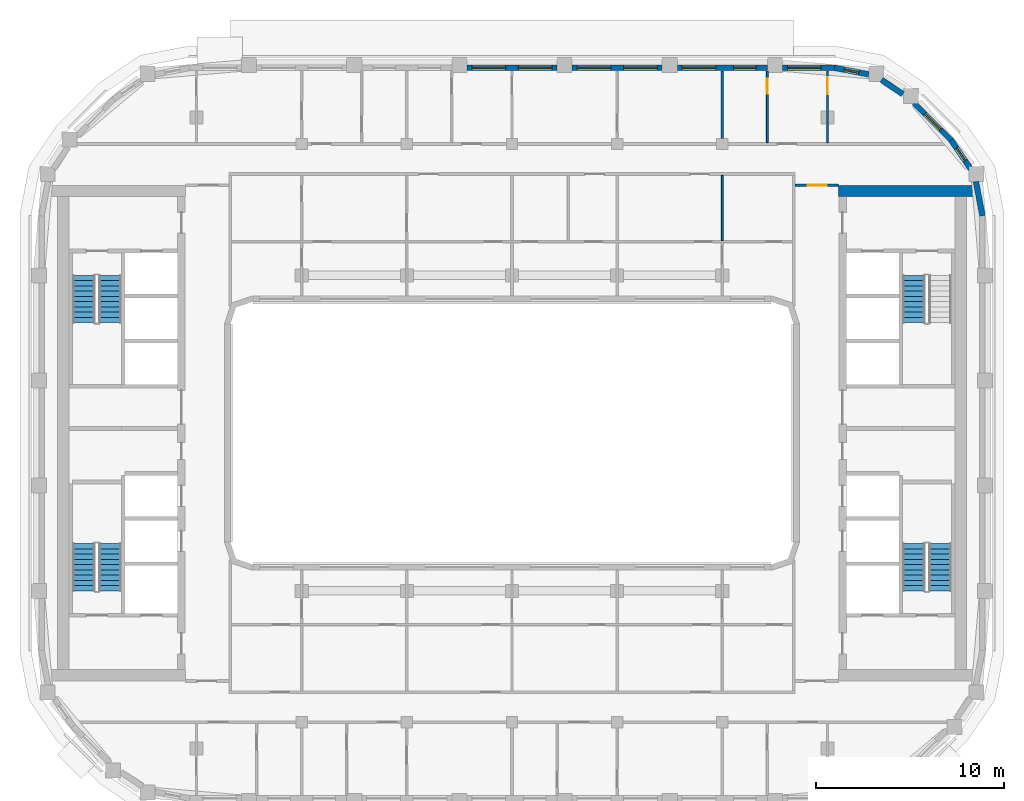
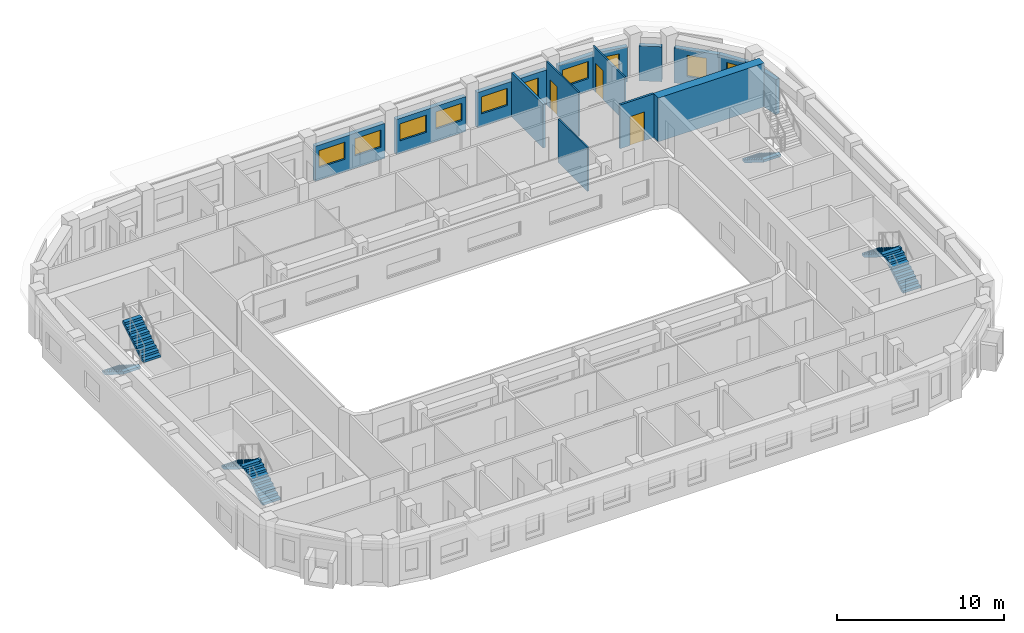
# One storey, part 8 of 16: 15 walls, 10 windows, 7 stair flights, 3 doors, 13 openings, 4 elements without a shape of their own.
"""IFC4 building model written with IfcOpenShell, lengths in metres."""

from ifc_helpers import new_model, si_unit, direction, frame, frame_2d, origin, place, context, subcontext, project, spatial, polyline, rectangle, outline, extrude, material, layer, layer_set, type_object, element, fill, aggregate, save


model = new_model("IFC4")

# Units and contexts
model_context = context("Model", 3, precision=1e-05, world=origin(), true_north=direction((0.0, 1.0)))
body_context = subcontext(model_context, "Body", "Model", "MODEL_VIEW")
ifc_project = project(units=[si_unit("LENGTHUNIT", "METRE"), si_unit("AREAUNIT", "SQUARE_METRE"), si_unit("VOLUMEUNIT", "CUBIC_METRE"), si_unit("PLANEANGLEUNIT", "RADIAN"), si_unit("MASSUNIT", "GRAM", prefix="KILO")], contexts=[model_context])

# Site, building, storey
site_placement = place(None, origin())
site = spatial("IfcSite", under=ifc_project, at=site_placement, CompositionType="ELEMENT")
building_placement = place(site_placement, origin())
building = spatial("IfcBuilding", under=site, at=building_placement, Name="Kiln Ring Residences", CompositionType="ELEMENT")
storey_placement = place(building_placement, frame((0.0, 0.0, 245.199951171875)))
storey = spatial("IfcBuildingStorey", under=building, at=storey_placement, Name="L63", CompositionType="ELEMENT", Elevation=245.199951171875)

# Walls
ifc_material_1 = material(Name="Concrete C60/75", Category="concrete")
ifc_layer_1 = layer(ifc_material_1, 0.60009765625)
ifc_layer_set_1 = layer_set([ifc_layer_1], Name="CORE-WALL-RC600")
wall_type_1 = type_object("IfcWallType", Name="CORE-WALL-RC600", PredefinedType="SHEAR", material=ifc_layer_set_1)
wall_1_placement = place(storey_placement, frame((17.39990234375, 12.89990234375, 0.0), z_axis=(0.0, 0.0, 1.0), x_axis=(1.0, 0.0, 0.0)))
element("IfcWall", 1, at=wall_1_placement, inside=storey, type_object=wall_type_1, Name="Core wall east L63 4", PredefinedType="SHEAR", context=body_context, shape_type="SweptSolid", body=[
    extrude(rectangle(XDim=7.320068359375, YDim=0.60009765625, at=frame_2d((3.66015625, 0.0))), origin(), (0.0, 0.0, 1.0), 3.199951171875),
])
ifc_material_2 = material(Name="Brick masonry, dark clay brick", Category="masonry")
ifc_layer_2 = layer(ifc_material_2, 0.300048828125)
ifc_layer_set_2 = layer_set([ifc_layer_2], Name="EW-300 BRICK WALL")
wall_type_2 = type_object("IfcWallType", Name="EW-300 BRICK WALL", PredefinedType="SOLIDWALL", material=ifc_layer_set_2)
wall_2_placement = place(storey_placement, frame((25.052734375, 11.57177734375, 0.0), z_axis=(0.0, 0.0, 1.0), x_axis=(-0.187408222942, 0.982282117303, 0.0)))
element("IfcWall", 2, at=wall_2_placement, inside=storey, type_object=wall_type_2, Name="Facade wall L63 21", PredefinedType="SOLIDWALL", context=body_context, shape_type="SweptSolid", body=[
    extrude(rectangle(XDim=1.8564453125, YDim=0.300048828125, at=frame_2d((0.92822265625, 0.0))), origin(), (0.0, 0.0, 1.0), 2.550048828125),
])

# Wall, opening, window
wall_3_placement = place(storey_placement, frame((24.422119140625, 14.07763671875, 0.0), z_axis=(0.0, 0.0, 1.0), x_axis=(-0.562054549384, 0.827100165347, 0.0)))
wall_3 = element("IfcWall", 3, at=wall_3_placement, inside=storey, type_object=wall_type_2, Name="Facade wall L63 22", PredefinedType="SOLIDWALL", context=body_context, shape_type="SweptSolid", body=[
    extrude(rectangle(XDim=1.85595703125, YDim=0.300048828125, at=frame_2d((0.927978515625, 0.0))), origin(), (0.0, 0.0, 1.0), 2.550048828125),
])
opening_1_placement = place(wall_3_placement, frame((0.528076171875, 0.0, 0.60009765625)))
opening_1 = element("IfcOpeningElement", 4, at=opening_1_placement, cuts=wall_3, Name="Opening W5", PredefinedType="OPENING", context=body_context, shape_type="SweptSolid", body=[
    extrude(rectangle(XDim=0.800048828125, YDim=1.550048828125, at=frame_2d((0.39990234375, 0.77490234375))), frame((0.0, 0.159912109375, 0.0), z_axis=(0.0, -1.0, 0.0), x_axis=(1.0, 0.0, 0.0)), (0.0, 0.0, 1.0), 0.320068359375),
])
ifc_material_3 = material(Name="Aluminium frame with double glazing", Category="aluminium")
window_type_1 = type_object("IfcWindowType", Name="WINDOW 800 x 1550", PartitioningType="SINGLE_PANEL", PredefinedType="WINDOW", material=ifc_material_3)
window_1_placement = place(opening_1_placement, origin())
window_1 = element("IfcWindow", 5, at=window_1_placement, inside=storey, type_object=window_type_1, Name="Window L63 18", OverallHeight=1.550048828125, OverallWidth=0.800048828125, PartitioningType="SINGLE_PANEL", PredefinedType="WINDOW", context=body_context, shape_type="SweptSolid", body=[
    extrude(rectangle(XDim=0.800048828125, YDim=1.550048828125, at=frame_2d((0.39990234375, 0.77490234375))), frame((0.0, 0.030029296875, 0.0), z_axis=(0.0, -1.0, 0.0), x_axis=(1.0, 0.0, 0.0)), (0.0, 0.0, 1.0), 0.06005859375),
])
fill(opening_1, window_1)

wall_4_placement = place(storey_placement, frame((23.39697265625, 15.591064453125, 0.0), z_axis=(0.0, 0.0, 1.0), x_axis=(-0.707150377276, 0.707063182409, 0.0)))
wall_4 = element("IfcWall", 6, at=wall_4_placement, inside=storey, type_object=wall_type_2, Name="Facade wall L63 23", PredefinedType="SOLIDWALL", context=body_context, shape_type="SweptSolid", body=[
    extrude(rectangle(XDim=2.800048828125, YDim=0.300048828125, at=frame_2d((1.39990234375, 0.0))), origin(), (0.0, 0.0, 1.0), 2.550048828125),
])
opening_2_placement = place(wall_4_placement, frame((0.800048828125, 0.0, 0.60009765625)))
opening_2 = element("IfcOpeningElement", 7, at=opening_2_placement, cuts=wall_4, Name="Opening W1", PredefinedType="OPENING", context=body_context, shape_type="SweptSolid", body=[
    extrude(rectangle(XDim=1.199951171875, YDim=1.550048828125, at=frame_2d((0.60009765625, 0.77490234375))), frame((0.0, 0.159912109375, 0.0), z_axis=(0.0, -1.0, 0.0), x_axis=(1.0, 0.0, 0.0)), (0.0, 0.0, 1.0), 0.320068359375),
])
ifc_material_4 = material(Name="Aluminium frame with double glazing", Category="aluminium")
window_type_2 = type_object("IfcWindowType", Name="WINDOW 1200 x 1550", PartitioningType="SINGLE_PANEL", PredefinedType="WINDOW", material=ifc_material_4)
window_2_placement = place(opening_2_placement, origin())
window_2 = element("IfcWindow", 8, at=window_2_placement, inside=storey, type_object=window_type_2, Name="Window L63 19", OverallHeight=1.550048828125, OverallWidth=1.199951171875, PartitioningType="SINGLE_PANEL", PredefinedType="WINDOW", context=body_context, shape_type="SweptSolid", body=[
    extrude(rectangle(XDim=1.199951171875, YDim=1.550048828125, at=frame_2d((0.60009765625, 0.77490234375))), frame((0.0, 0.030029296875, 0.0), z_axis=(0.0, -1.0, 0.0), x_axis=(1.0, 0.0, 0.0)), (0.0, 0.0, 1.0), 0.06005859375),
])
fill(opening_2, window_2)

# Wall
wall_5_placement = place(storey_placement, frame((20.816650390625, 18.048095703125, 0.0), z_axis=(0.0, 0.0, 1.0), x_axis=(-0.827025410886, 0.562164539747, 0.0)))
element("IfcWall", 9, at=wall_5_placement, inside=storey, type_object=wall_type_2, Name="Facade wall L63 24", PredefinedType="SOLIDWALL", context=body_context, shape_type="SweptSolid", body=[
    extrude(rectangle(XDim=1.377197265625, YDim=0.300048828125, at=frame_2d((0.6884765625, 0.0))), origin(), (0.0, 0.0, 1.0), 2.550048828125),
])

# Wall, opening, window
wall_6_placement = place(storey_placement, frame((18.9951171875, 19.10498046875, 0.0), z_axis=(0.0, 0.0, 1.0), x_axis=(-0.982301706131, 0.187305520826, 0.0)))
wall_6 = element("IfcWall", 10, at=wall_6_placement, inside=storey, type_object=wall_type_2, Name="Facade wall L63 25", PredefinedType="SOLIDWALL", context=body_context, shape_type="SweptSolid", body=[
    extrude(rectangle(XDim=1.856201171875, YDim=0.300048828125, at=frame_2d((0.92822265625, 0.0))), origin(), (0.0, 0.0, 1.0), 2.550048828125),
])
opening_3_placement = place(wall_6_placement, frame((0.528076171875, 0.0, 0.60009765625)))
opening_3 = element("IfcOpeningElement", 11, at=opening_3_placement, cuts=wall_6, Name="Opening W5", PredefinedType="OPENING", context=body_context, shape_type="SweptSolid", body=[
    extrude(rectangle(XDim=0.800048828125, YDim=1.550048828125, at=frame_2d((0.39990234375, 0.77490234375))), frame((0.0, 0.159912109375, 0.0), z_axis=(0.0, -1.0, 0.0), x_axis=(1.0, 0.0, 0.0)), (0.0, 0.0, 1.0), 0.320068359375),
])
window_3_placement = place(opening_3_placement, origin())
window_3 = element("IfcWindow", 12, at=window_3_placement, inside=storey, type_object=window_type_1, Name="Window L63 20", OverallHeight=1.550048828125, OverallWidth=0.800048828125, PartitioningType="SINGLE_PANEL", PredefinedType="WINDOW", context=body_context, shape_type="SweptSolid", body=[
    extrude(rectangle(XDim=0.800048828125, YDim=1.550048828125, at=frame_2d((0.39990234375, 0.77490234375))), frame((0.0, 0.030029296875, 0.0), z_axis=(0.0, -1.0, 0.0), x_axis=(1.0, 0.0, 0.0)), (0.0, 0.0, 1.0), 0.06005859375),
])
fill(opening_3, window_3)

wall_7_placement = place(storey_placement, frame((17.199951171875, 19.449951171875, 0.0), z_axis=(0.0, 0.0, 1.0), x_axis=(-1.0, 0.0, 0.0)))
wall_7 = element("IfcWall", 13, at=wall_7_placement, inside=storey, type_object=wall_type_2, Name="Facade wall L63 26", PredefinedType="SOLIDWALL", context=body_context, shape_type="SweptSolid", body=[
    extrude(rectangle(XDim=2.800048828125, YDim=0.300048828125, at=frame_2d((1.39990234375, 0.0))), origin(), (0.0, 0.0, 1.0), 2.550048828125),
])
opening_4_placement = place(wall_7_placement, frame((0.737548828125, 0.0, 0.89990234375)))
opening_4 = element("IfcOpeningElement", 14, at=opening_4_placement, cuts=wall_7, Name="Opening W2", PredefinedType="OPENING", context=body_context, shape_type="SweptSolid", body=[
    extrude(rectangle(XDim=1.800048828125, YDim=1.25, at=frame_2d((0.89990234375, 0.625))), frame((0.0, 0.159912109375, 0.0), z_axis=(0.0, -1.0, 0.0), x_axis=(1.0, 0.0, 0.0)), (0.0, 0.0, 1.0), 0.320068359375),
])
ifc_material_5 = material(Name="Aluminium frame with double glazing", Category="aluminium")
window_type_3 = type_object("IfcWindowType", Name="WINDOW 1800 x 1250", PartitioningType="SINGLE_PANEL", PredefinedType="WINDOW", material=ifc_material_5)
window_4_placement = place(opening_4_placement, origin())
window_4 = element("IfcWindow", 15, at=window_4_placement, inside=storey, type_object=window_type_3, Name="Window L63 21", OverallHeight=1.25, OverallWidth=1.800048828125, PartitioningType="SINGLE_PANEL", PredefinedType="WINDOW", context=body_context, shape_type="SweptSolid", body=[
    extrude(rectangle(XDim=1.800048828125, YDim=1.25, at=frame_2d((0.89990234375, 0.625))), frame((0.0, 0.030029296875, 0.0), z_axis=(0.0, -1.0, 0.0), x_axis=(1.0, 0.0, 0.0)), (0.0, 0.0, 1.0), 0.06005859375),
])
fill(opening_4, window_4)

# Wall, openings, windows
wall_8_placement = place(storey_placement, frame((13.60009765625, 19.449951171875, 0.0), z_axis=(0.0, 0.0, 1.0), x_axis=(-1.0, 0.0, 0.0)))
wall_8 = element("IfcWall", 16, at=wall_8_placement, inside=storey, type_object=wall_type_2, Name="Facade wall L63 27", PredefinedType="SOLIDWALL", context=body_context, shape_type="SweptSolid", body=[
    extrude(rectangle(XDim=4.800048828125, YDim=0.300048828125, at=frame_2d((2.39990234375, 0.0))), origin(), (0.0, 0.0, 1.0), 2.550048828125),
])
opening_5_placement = place(wall_8_placement, frame((0.60009765625, 0.0, 0.60009765625)))
opening_5 = element("IfcOpeningElement", 17, at=opening_5_placement, cuts=wall_8, Name="Opening W1", PredefinedType="OPENING", context=body_context, shape_type="SweptSolid", body=[
    extrude(rectangle(XDim=1.199951171875, YDim=1.550048828125, at=frame_2d((0.60009765625, 0.77490234375))), frame((0.0, 0.159912109375, 0.0), z_axis=(0.0, -1.0, 0.0), x_axis=(1.0, 0.0, 0.0)), (0.0, 0.0, 1.0), 0.320068359375),
])
opening_6_placement = place(wall_8_placement, frame((2.737548828125, 0.0, 0.89990234375)))
opening_6 = element("IfcOpeningElement", 18, at=opening_6_placement, cuts=wall_8, Name="Opening W2", PredefinedType="OPENING", context=body_context, shape_type="SweptSolid", body=[
    extrude(rectangle(XDim=1.800048828125, YDim=1.25, at=frame_2d((0.89990234375, 0.625))), frame((0.0, 0.159912109375, 0.0), z_axis=(0.0, -1.0, 0.0), x_axis=(1.0, 0.0, 0.0)), (0.0, 0.0, 1.0), 0.320068359375),
])
window_5_placement = place(opening_5_placement, origin())
window_5 = element("IfcWindow", 19, at=window_5_placement, inside=storey, type_object=window_type_2, Name="Window L63 22", OverallHeight=1.550048828125, OverallWidth=1.199951171875, PartitioningType="SINGLE_PANEL", PredefinedType="WINDOW", context=body_context, shape_type="SweptSolid", body=[
    extrude(rectangle(XDim=1.199951171875, YDim=1.550048828125, at=frame_2d((0.60009765625, 0.77490234375))), frame((0.0, 0.030029296875, 0.0), z_axis=(0.0, -1.0, 0.0), x_axis=(1.0, 0.0, 0.0)), (0.0, 0.0, 1.0), 0.06005859375),
])
fill(opening_5, window_5)
window_6_placement = place(opening_6_placement, origin())
window_6 = element("IfcWindow", 20, at=window_6_placement, inside=storey, type_object=window_type_3, Name="Window L63 23", OverallHeight=1.25, OverallWidth=1.800048828125, PartitioningType="SINGLE_PANEL", PredefinedType="WINDOW", context=body_context, shape_type="SweptSolid", body=[
    extrude(rectangle(XDim=1.800048828125, YDim=1.25, at=frame_2d((0.89990234375, 0.625))), frame((0.0, 0.030029296875, 0.0), z_axis=(0.0, -1.0, 0.0), x_axis=(1.0, 0.0, 0.0)), (0.0, 0.0, 1.0), 0.06005859375),
])
fill(opening_6, window_6)

wall_9_placement = place(storey_placement, frame((8.0, 19.449951171875, 0.0), z_axis=(0.0, 0.0, 1.0), x_axis=(-1.0, 0.0, 0.0)))
wall_9 = element("IfcWall", 21, at=wall_9_placement, inside=storey, type_object=wall_type_2, Name="Facade wall L63 28", PredefinedType="SOLIDWALL", context=body_context, shape_type="SweptSolid", body=[
    extrude(rectangle(XDim=4.800048828125, YDim=0.300048828125, at=frame_2d((2.39990234375, 0.0))), origin(), (0.0, 0.0, 1.0), 2.550048828125),
])
opening_7_placement = place(wall_9_placement, frame((0.262451171875, 0.0, 0.89990234375)))
opening_7 = element("IfcOpeningElement", 22, at=opening_7_placement, cuts=wall_9, Name="Opening W2", PredefinedType="OPENING", context=body_context, shape_type="SweptSolid", body=[
    extrude(rectangle(XDim=1.800048828125, YDim=1.25, at=frame_2d((0.89990234375, 0.625))), frame((0.0, 0.159912109375, 0.0), z_axis=(0.0, -1.0, 0.0), x_axis=(1.0, 0.0, 0.0)), (0.0, 0.0, 1.0), 0.320068359375),
])
opening_8_placement = place(wall_9_placement, frame((2.737548828125, 0.0, 0.89990234375)))
opening_8 = element("IfcOpeningElement", 23, at=opening_8_placement, cuts=wall_9, Name="Opening W2", PredefinedType="OPENING", context=body_context, shape_type="SweptSolid", body=[
    extrude(rectangle(XDim=1.800048828125, YDim=1.25, at=frame_2d((0.89990234375, 0.625))), frame((0.0, 0.159912109375, 0.0), z_axis=(0.0, -1.0, 0.0), x_axis=(1.0, 0.0, 0.0)), (0.0, 0.0, 1.0), 0.320068359375),
])
window_7_placement = place(opening_7_placement, origin())
window_7 = element("IfcWindow", 24, at=window_7_placement, inside=storey, type_object=window_type_3, Name="Window L63 24", OverallHeight=1.25, OverallWidth=1.800048828125, PartitioningType="SINGLE_PANEL", PredefinedType="WINDOW", context=body_context, shape_type="SweptSolid", body=[
    extrude(rectangle(XDim=1.800048828125, YDim=1.25, at=frame_2d((0.89990234375, 0.625))), frame((0.0, 0.030029296875, 0.0), z_axis=(0.0, -1.0, 0.0), x_axis=(1.0, 0.0, 0.0)), (0.0, 0.0, 1.0), 0.06005859375),
])
fill(opening_7, window_7)
window_8_placement = place(opening_8_placement, origin())
window_8 = element("IfcWindow", 25, at=window_8_placement, inside=storey, type_object=window_type_3, Name="Window L63 25", OverallHeight=1.25, OverallWidth=1.800048828125, PartitioningType="SINGLE_PANEL", PredefinedType="WINDOW", context=body_context, shape_type="SweptSolid", body=[
    extrude(rectangle(XDim=1.800048828125, YDim=1.25, at=frame_2d((0.89990234375, 0.625))), frame((0.0, 0.030029296875, 0.0), z_axis=(0.0, -1.0, 0.0), x_axis=(1.0, 0.0, 0.0)), (0.0, 0.0, 1.0), 0.06005859375),
])
fill(opening_8, window_8)

wall_10_placement = place(storey_placement, frame((2.39990234375, 19.449951171875, 0.0), z_axis=(0.0, 0.0, 1.0), x_axis=(-1.0, 0.0, 0.0)))
wall_10 = element("IfcWall", 26, at=wall_10_placement, inside=storey, type_object=wall_type_2, Name="Facade wall L63 29", PredefinedType="SOLIDWALL", context=body_context, shape_type="SweptSolid", body=[
    extrude(rectangle(XDim=4.7998046875, YDim=0.300048828125, at=frame_2d((2.39990234375, 0.0))), origin(), (0.0, 0.0, 1.0), 2.550048828125),
])
opening_9_placement = place(wall_10_placement, frame((0.262451171875, 0.0, 0.89990234375)))
opening_9 = element("IfcOpeningElement", 27, at=opening_9_placement, cuts=wall_10, Name="Opening W2", PredefinedType="OPENING", context=body_context, shape_type="SweptSolid", body=[
    extrude(rectangle(XDim=1.800048828125, YDim=1.25, at=frame_2d((0.89990234375, 0.625))), frame((0.0, 0.159912109375, 0.0), z_axis=(0.0, -1.0, 0.0), x_axis=(1.0, 0.0, 0.0)), (0.0, 0.0, 1.0), 0.320068359375),
])
opening_10_placement = place(wall_10_placement, frame((2.737548828125, 0.0, 0.89990234375)))
opening_10 = element("IfcOpeningElement", 28, at=opening_10_placement, cuts=wall_10, Name="Opening W2", PredefinedType="OPENING", context=body_context, shape_type="SweptSolid", body=[
    extrude(rectangle(XDim=1.800048828125, YDim=1.25, at=frame_2d((0.89990234375, 0.625))), frame((0.0, 0.159912109375, 0.0), z_axis=(0.0, -1.0, 0.0), x_axis=(1.0, 0.0, 0.0)), (0.0, 0.0, 1.0), 0.320068359375),
])
window_9_placement = place(opening_9_placement, origin())
window_9 = element("IfcWindow", 29, at=window_9_placement, inside=storey, type_object=window_type_3, Name="Window L63 26", OverallHeight=1.25, OverallWidth=1.800048828125, PartitioningType="SINGLE_PANEL", PredefinedType="WINDOW", context=body_context, shape_type="SweptSolid", body=[
    extrude(rectangle(XDim=1.800048828125, YDim=1.25, at=frame_2d((0.89990234375, 0.625))), frame((0.0, 0.030029296875, 0.0), z_axis=(0.0, -1.0, 0.0), x_axis=(1.0, 0.0, 0.0)), (0.0, 0.0, 1.0), 0.06005859375),
])
fill(opening_9, window_9)
window_10_placement = place(opening_10_placement, origin())
window_10 = element("IfcWindow", 30, at=window_10_placement, inside=storey, type_object=window_type_3, Name="Window L63 27", OverallHeight=1.25, OverallWidth=1.800048828125, PartitioningType="SINGLE_PANEL", PredefinedType="WINDOW", context=body_context, shape_type="SweptSolid", body=[
    extrude(rectangle(XDim=1.800048828125, YDim=1.25, at=frame_2d((0.89990234375, 0.625))), frame((0.0, 0.030029296875, 0.0), z_axis=(0.0, -1.0, 0.0), x_axis=(1.0, 0.0, 0.0)), (0.0, 0.0, 1.0), 0.06005859375),
])
fill(opening_10, window_10)

# Wall
ifc_material_6 = material(Name="Gypsum board on steel studs", Category="steel")
ifc_layer_3 = layer(ifc_material_6, 0.10009765625)
ifc_layer_set_3 = layer_set([ifc_layer_3], Name="PARTITION-100")
wall_type_3 = type_object("IfcWallType", Name="PARTITION-100", PredefinedType="PARTITIONING", material=ifc_layer_set_3)
wall_11_placement = place(storey_placement, frame((11.199951171875, 10.25, 0.0), z_axis=(0.0, 0.0, 1.0), x_axis=(0.0, 1.0, 0.0)))
element("IfcWall", 31, at=wall_11_placement, inside=storey, type_object=wall_type_3, Name="Partition 047", PredefinedType="PARTITIONING", context=body_context, shape_type="SweptSolid", body=[
    extrude(rectangle(XDim=3.47509765625, YDim=0.10009765625, at=frame_2d((1.737548828125, 0.0))), origin(), (0.0, 0.0, 1.0), 3.199951171875),
])

# Wall, opening, door
wall_12_placement = place(storey_placement, frame((13.60009765625, 15.47509765625, 0.0), z_axis=(0.0, 0.0, 1.0), x_axis=(0.0, 1.0, 0.0)))
wall_12 = element("IfcWall", 32, at=wall_12_placement, inside=storey, type_object=wall_type_3, Name="Partition 051", PredefinedType="PARTITIONING", context=body_context, shape_type="SweptSolid", body=[
    extrude(rectangle(XDim=3.804931640625, YDim=0.10009765625, at=frame_2d((1.90234375, 0.0))), origin(), (0.0, 0.0, 1.0), 3.199951171875),
])
opening_11_placement = place(wall_12_placement, frame((2.5849609375, 0.0, 0.0)))
opening_11 = element("IfcOpeningElement", 33, at=opening_11_placement, cuts=wall_12, Name="Opening L63-D027", PredefinedType="OPENING", context=body_context, shape_type="SweptSolid", body=[
    extrude(rectangle(XDim=0.800048828125, YDim=2.10009765625, at=frame_2d((0.39990234375, 1.050048828125))), frame((0.0, 0.06005859375, 0.0), z_axis=(0.0, -1.0, 0.0), x_axis=(1.0, 0.0, 0.0)), (0.0, 0.0, 1.0), 0.1201171875),
])
ifc_material_7 = material(Name="Timber door leaf", Category="wood")
door_type_1 = type_object("IfcDoorType", Name="FLAT-DOOR-800-PL", OperationType="SINGLE_SWING_LEFT", PredefinedType="DOOR", material=ifc_material_7)
door_1_placement = place(opening_11_placement, origin())
door_1 = element("IfcDoor", 34, at=door_1_placement, inside=storey, type_object=door_type_1, Name="Door L63-D027", OperationType="SINGLE_SWING_LEFT", OverallHeight=2.10009765625, OverallWidth=0.800048828125, PredefinedType="DOOR", context=body_context, shape_type="SweptSolid", body=[
    extrude(rectangle(XDim=0.800048828125, YDim=2.10009765625, at=frame_2d((0.39990234375, 1.050048828125))), frame((0.0, 0.02490234375, 0.0), z_axis=(0.0, -1.0, 0.0), x_axis=(1.0, 0.0, 0.0)), (0.0, 0.0, 1.0), 0.050048828125),
])
fill(opening_11, door_1)

wall_13_placement = place(storey_placement, frame((16.800048828125, 15.47509765625, 0.0), z_axis=(0.0, 0.0, 1.0), x_axis=(0.0, 1.0, 0.0)))
wall_13 = element("IfcWall", 35, at=wall_13_placement, inside=storey, type_object=wall_type_3, Name="Partition 055", PredefinedType="PARTITIONING", context=body_context, shape_type="SweptSolid", body=[
    extrude(rectangle(XDim=3.804931640625, YDim=0.10009765625, at=frame_2d((1.90234375, 0.0))), origin(), (0.0, 0.0, 1.0), 3.199951171875),
])
opening_12_placement = place(wall_13_placement, frame((2.575927734375, 0.0, 0.0)))
opening_12 = element("IfcOpeningElement", 36, at=opening_12_placement, cuts=wall_13, Name="Opening L63-D028", PredefinedType="OPENING", context=body_context, shape_type="SweptSolid", body=[
    extrude(rectangle(XDim=0.89990234375, YDim=2.10009765625, at=frame_2d((0.449951171875, 1.050048828125))), frame((0.0, 0.06005859375, 0.0), z_axis=(0.0, -1.0, 0.0), x_axis=(1.0, 0.0, 0.0)), (0.0, 0.0, 1.0), 0.1201171875),
])
ifc_material_8 = material(Name="Timber door leaf", Category="wood")
door_type_2 = type_object("IfcDoorType", Name="FLAT-DOOR-900-PL", OperationType="SINGLE_SWING_LEFT", PredefinedType="DOOR", material=ifc_material_8)
door_2_placement = place(opening_12_placement, origin())
door_2 = element("IfcDoor", 37, at=door_2_placement, inside=storey, type_object=door_type_2, Name="Door L63-D028", OperationType="SINGLE_SWING_RIGHT", OverallHeight=2.10009765625, OverallWidth=0.89990234375, PredefinedType="DOOR", context=body_context, shape_type="SweptSolid", body=[
    extrude(rectangle(XDim=0.89990234375, YDim=2.10009765625, at=frame_2d((0.449951171875, 1.050048828125))), frame((0.0, 0.02490234375, 0.0), z_axis=(0.0, -1.0, 0.0), x_axis=(1.0, 0.0, 0.0)), (0.0, 0.0, 1.0), 0.050048828125),
])
fill(opening_12, door_2)

ifc_material_9 = material(Name="Brick masonry partition", Category="masonry")
ifc_layer_4 = layer(ifc_material_9, 0.14990234375)
ifc_layer_set_4 = layer_set([ifc_layer_4], Name="PARTITION-150-ei60")
wall_type_4 = type_object("IfcWallType", Name="PARTITION-150-ei60", PredefinedType="PARTITIONING", material=ifc_layer_set_4)
wall_14_placement = place(storey_placement, frame((15.074951171875, 13.199951171875, 0.0), z_axis=(0.0, 0.0, 1.0), x_axis=(1.0, 0.0, 0.0)))
wall_14 = element("IfcWall", 38, at=wall_14_placement, inside=storey, type_object=wall_type_4, Name="Partition 007", PredefinedType="PARTITIONING", context=body_context, shape_type="SweptSolid", body=[
    extrude(rectangle(XDim=2.324951171875, YDim=0.14990234375, at=frame_2d((1.16259765625, 0.0))), origin(), (0.0, 0.0, 1.0), 3.199951171875),
])
opening_13_placement = place(wall_14_placement, frame((0.675048828125, 0.0, 0.0)))
opening_13 = element("IfcOpeningElement", 39, at=opening_13_placement, cuts=wall_14, Name="Opening L63-D002", PredefinedType="OPENING", context=body_context, shape_type="SweptSolid", body=[
    extrude(rectangle(XDim=1.0, YDim=2.10009765625, at=frame_2d((0.5, 1.050048828125))), frame((0.0, 0.0849609375, 0.0), z_axis=(0.0, -1.0, 0.0), x_axis=(1.0, 0.0, 0.0)), (0.0, 0.0, 1.0), 0.169921875),
])
ifc_material_10 = material(Name="Steel faced fire door leaf", Category="steel")
door_type_3 = type_object("IfcDoorType", Name="FLAT-DOOR-1000-FR", OperationType="SINGLE_SWING_LEFT", PredefinedType="DOOR", material=ifc_material_10)
door_3_placement = place(opening_13_placement, origin())
door_3 = element("IfcDoor", 40, at=door_3_placement, inside=storey, type_object=door_type_3, Name="Door L63-D002", OperationType="SINGLE_SWING_LEFT", OverallHeight=2.10009765625, OverallWidth=1.0, PredefinedType="DOOR", context=body_context, shape_type="SweptSolid", body=[
    extrude(rectangle(XDim=1.0, YDim=2.10009765625, at=frame_2d((0.5, 1.050048828125))), frame((0.0, 0.02490234375, 0.0), z_axis=(0.0, -1.0, 0.0), x_axis=(1.0, 0.0, 0.0)), (0.0, 0.0, 1.0), 0.050048828125),
])
fill(opening_13, door_3)

# Wall
wall_15_placement = place(storey_placement, frame((11.199951171875, 15.47509765625, 0.0), z_axis=(0.0, 0.0, 1.0), x_axis=(0.0, 1.0, 0.0)))
element("IfcWall", 41, at=wall_15_placement, inside=storey, type_object=wall_type_4, Name="Partition 049", PredefinedType="PARTITIONING", context=body_context, shape_type="SweptSolid", body=[
    extrude(rectangle(XDim=3.804931640625, YDim=0.14990234375, at=frame_2d((1.90234375, 0.0))), origin(), (0.0, 0.0, 1.0), 3.199951171875),
])

# Stair, stair flights
ifc_material_11 = material(Name="Concrete C40/50", Category="concrete")
stair_type = type_object("IfcStairType", Name="CORE-STAIR", PredefinedType="HALF_TURN_STAIR", material=ifc_material_11)
placement = place(storey_placement, origin())
stair_1 = element("IfcStair", 42, at=placement, inside=storey, type_object=stair_type, Name="L63 stair W-STN", PredefinedType="HALF_TURN_STAIR")
ifc_material_12 = material(Name="Concrete C40/50", Category="concrete")
stair_flight_type = type_object("IfcStairFlightType", Name="CORE-STAIR-FLIGHT", PredefinedType="STRAIGHT", material=ifc_material_12)
stair_flight_1_placement = place(storey_placement, frame((-22.800048828125, 8.39990234375, 0.0), z_axis=(0.0, 0.0, 1.0), x_axis=(0.0, -1.0, 0.0)))
stair_flight_1 = element("IfcStairFlight", 43, at=stair_flight_1_placement, type_object=stair_flight_type, Name="W-STN flight 1", NumberOfRisers=10, NumberOfTreads=9, PredefinedType="STRAIGHT", RiserHeight=0.175, TreadLength=0.28, context=body_context, shape_type="SweptSolid", body=[
    extrude(outline(polyline([(0.0, 0.0), (0.0, 0.175048828125), (0.280029296875, 0.175048828125), (0.280029296875, 0.35009765625), (0.56005859375, 0.35009765625), (0.56005859375, 0.52490234375), (0.840087890625, 0.52490234375), (0.840087890625, 0.699951171875), (1.1201171875, 0.699951171875), (1.1201171875, 0.875), (1.39990234375, 0.875), (1.39990234375, 1.050048828125), (1.679931640625, 1.050048828125), (1.679931640625, 1.22509765625), (1.9599609375, 1.22509765625), (1.9599609375, 1.39990234375), (2.239990234375, 1.39990234375), (2.239990234375, 1.574951171875), (2.52001953125, 1.574951171875), (2.52001953125, 1.75), (2.52001953125, 1.398193359375), (0.28271484375, 0.0), (0.0, 0.0)])), frame((0.0, 0.60009765625, 0.0), z_axis=(0.0, -1.0, 0.0), x_axis=(1.0, 0.0, 0.0)), (0.0, 0.0, 1.0), 1.199951171875),
])
stair_flight_2_placement = place(storey_placement, frame((-21.39990234375, 5.8798828125, 1.75), z_axis=(0.0, 0.0, 1.0), x_axis=(0.0, 1.0, 0.0)))
stair_flight_2 = element("IfcStairFlight", 44, at=stair_flight_2_placement, type_object=stair_flight_type, Name="W-STN flight 2", NumberOfRisers=10, NumberOfTreads=9, PredefinedType="STRAIGHT", RiserHeight=0.175, TreadLength=0.28, context=body_context, shape_type="SweptSolid", body=[
    extrude(outline(polyline([(0.0, 0.0), (0.0, 0.175048828125), (0.280029296875, 0.175048828125), (0.280029296875, 0.35009765625), (0.56005859375, 0.35009765625), (0.56005859375, 0.52490234375), (0.840087890625, 0.52490234375), (0.840087890625, 0.699951171875), (1.1201171875, 0.699951171875), (1.1201171875, 0.875), (1.39990234375, 0.875), (1.39990234375, 1.050048828125), (1.679931640625, 1.050048828125), (1.679931640625, 1.22509765625), (1.9599609375, 1.22509765625), (1.9599609375, 1.39990234375), (2.239990234375, 1.39990234375), (2.239990234375, 1.574951171875), (2.52001953125, 1.574951171875), (2.52001953125, 1.75), (2.52001953125, 1.398193359375), (0.28271484375, 0.0), (0.0, 0.0)])), frame((0.0, 0.60009765625, 0.0), z_axis=(0.0, -1.0, 0.0), x_axis=(1.0, 0.0, 0.0)), (0.0, 0.0, 1.0), 1.199951171875),
])
aggregate(stair_1, [stair_flight_1, stair_flight_2])

stair_2 = element("IfcStair", 45, at=placement, inside=storey, type_object=stair_type, Name="L63 stair W-STS", PredefinedType="HALF_TURN_STAIR")
stair_flight_3_placement = place(storey_placement, frame((-21.39990234375, -8.39990234375, 0.0), z_axis=(0.0, 0.0, 1.0), x_axis=(0.0, 1.0, 0.0)))
stair_flight_3 = element("IfcStairFlight", 46, at=stair_flight_3_placement, type_object=stair_flight_type, Name="W-STS flight 1", NumberOfRisers=10, NumberOfTreads=9, PredefinedType="STRAIGHT", RiserHeight=0.175, TreadLength=0.28, context=body_context, shape_type="SweptSolid", body=[
    extrude(outline(polyline([(0.0, 0.0), (0.0, 0.175048828125), (0.280029296875, 0.175048828125), (0.280029296875, 0.35009765625), (0.56005859375, 0.35009765625), (0.56005859375, 0.52490234375), (0.840087890625, 0.52490234375), (0.840087890625, 0.699951171875), (1.1201171875, 0.699951171875), (1.1201171875, 0.875), (1.39990234375, 0.875), (1.39990234375, 1.050048828125), (1.679931640625, 1.050048828125), (1.679931640625, 1.22509765625), (1.9599609375, 1.22509765625), (1.9599609375, 1.39990234375), (2.239990234375, 1.39990234375), (2.239990234375, 1.574951171875), (2.52001953125, 1.574951171875), (2.52001953125, 1.75), (2.52001953125, 1.398193359375), (0.28271484375, 0.0), (0.0, 0.0)])), frame((0.0, 0.60009765625, 0.0), z_axis=(0.0, -1.0, 0.0), x_axis=(1.0, 0.0, 0.0)), (0.0, 0.0, 1.0), 1.199951171875),
])
stair_flight_4_placement = place(storey_placement, frame((-22.800048828125, -5.8798828125, 1.75), z_axis=(0.0, 0.0, 1.0), x_axis=(0.0, -1.0, 0.0)))
stair_flight_4 = element("IfcStairFlight", 47, at=stair_flight_4_placement, type_object=stair_flight_type, Name="W-STS flight 2", NumberOfRisers=10, NumberOfTreads=9, PredefinedType="STRAIGHT", RiserHeight=0.175, TreadLength=0.28, context=body_context, shape_type="SweptSolid", body=[
    extrude(outline(polyline([(0.0, 0.0), (0.0, 0.175048828125), (0.280029296875, 0.175048828125), (0.280029296875, 0.35009765625), (0.56005859375, 0.35009765625), (0.56005859375, 0.52490234375), (0.840087890625, 0.52490234375), (0.840087890625, 0.699951171875), (1.1201171875, 0.699951171875), (1.1201171875, 0.875), (1.39990234375, 0.875), (1.39990234375, 1.050048828125), (1.679931640625, 1.050048828125), (1.679931640625, 1.22509765625), (1.9599609375, 1.22509765625), (1.9599609375, 1.39990234375), (2.239990234375, 1.39990234375), (2.239990234375, 1.574951171875), (2.52001953125, 1.574951171875), (2.52001953125, 1.75), (2.52001953125, 1.398193359375), (0.28271484375, 0.0), (0.0, 0.0)])), frame((0.0, 0.60009765625, 0.0), z_axis=(0.0, -1.0, 0.0), x_axis=(1.0, 0.0, 0.0)), (0.0, 0.0, 1.0), 1.199951171875),
])
aggregate(stair_2, [stair_flight_3, stair_flight_4])

# Stair, stair flight
stair_3 = element("IfcStair", 48, at=placement, inside=storey, type_object=stair_type, Name="L63 stair E-STN", PredefinedType="HALF_TURN_STAIR")
stair_flight_5_placement = place(storey_placement, frame((21.39990234375, 8.39990234375, 0.0), z_axis=(0.0, 0.0, 1.0), x_axis=(0.0, -1.0, 0.0)))
stair_flight_5 = element("IfcStairFlight", 49, at=stair_flight_5_placement, type_object=stair_flight_type, Name="E-STN flight 1", NumberOfRisers=10, NumberOfTreads=9, PredefinedType="STRAIGHT", RiserHeight=0.175, TreadLength=0.28, context=body_context, shape_type="SweptSolid", body=[
    extrude(outline(polyline([(0.0, 0.0), (0.0, 0.175048828125), (0.280029296875, 0.175048828125), (0.280029296875, 0.35009765625), (0.56005859375, 0.35009765625), (0.56005859375, 0.52490234375), (0.840087890625, 0.52490234375), (0.840087890625, 0.699951171875), (1.1201171875, 0.699951171875), (1.1201171875, 0.875), (1.39990234375, 0.875), (1.39990234375, 1.050048828125), (1.679931640625, 1.050048828125), (1.679931640625, 1.22509765625), (1.9599609375, 1.22509765625), (1.9599609375, 1.39990234375), (2.239990234375, 1.39990234375), (2.239990234375, 1.574951171875), (2.52001953125, 1.574951171875), (2.52001953125, 1.75), (2.52001953125, 1.398193359375), (0.28271484375, 0.0), (0.0, 0.0)])), frame((0.0, 0.60009765625, 0.0), z_axis=(0.0, -1.0, 0.0), x_axis=(1.0, 0.0, 0.0)), (0.0, 0.0, 1.0), 1.199951171875),
])
aggregate(stair_3, [stair_flight_5])

# Stair, stair flights
stair_4 = element("IfcStair", 50, at=placement, inside=storey, type_object=stair_type, Name="L63 stair E-STS", PredefinedType="HALF_TURN_STAIR")
stair_flight_6_placement = place(storey_placement, frame((22.800048828125, -8.39990234375, 0.0), z_axis=(0.0, 0.0, 1.0), x_axis=(0.0, 1.0, 0.0)))
stair_flight_6 = element("IfcStairFlight", 51, at=stair_flight_6_placement, type_object=stair_flight_type, Name="E-STS flight 1", NumberOfRisers=10, NumberOfTreads=9, PredefinedType="STRAIGHT", RiserHeight=0.175, TreadLength=0.28, context=body_context, shape_type="SweptSolid", body=[
    extrude(outline(polyline([(0.0, 0.0), (0.0, 0.175048828125), (0.280029296875, 0.175048828125), (0.280029296875, 0.35009765625), (0.56005859375, 0.35009765625), (0.56005859375, 0.52490234375), (0.840087890625, 0.52490234375), (0.840087890625, 0.699951171875), (1.1201171875, 0.699951171875), (1.1201171875, 0.875), (1.39990234375, 0.875), (1.39990234375, 1.050048828125), (1.679931640625, 1.050048828125), (1.679931640625, 1.22509765625), (1.9599609375, 1.22509765625), (1.9599609375, 1.39990234375), (2.239990234375, 1.39990234375), (2.239990234375, 1.574951171875), (2.52001953125, 1.574951171875), (2.52001953125, 1.75), (2.52001953125, 1.398193359375), (0.28271484375, 0.0), (0.0, 0.0)])), frame((0.0, 0.60009765625, 0.0), z_axis=(0.0, -1.0, 0.0), x_axis=(1.0, 0.0, 0.0)), (0.0, 0.0, 1.0), 1.199951171875),
])
stair_flight_7_placement = place(storey_placement, frame((21.39990234375, -5.8798828125, 1.75), z_axis=(0.0, 0.0, 1.0), x_axis=(0.0, -1.0, 0.0)))
stair_flight_7 = element("IfcStairFlight", 52, at=stair_flight_7_placement, type_object=stair_flight_type, Name="E-STS flight 2", NumberOfRisers=10, NumberOfTreads=9, PredefinedType="STRAIGHT", RiserHeight=0.175, TreadLength=0.28, context=body_context, shape_type="SweptSolid", body=[
    extrude(outline(polyline([(0.0, 0.0), (0.0, 0.175048828125), (0.280029296875, 0.175048828125), (0.280029296875, 0.35009765625), (0.56005859375, 0.35009765625), (0.56005859375, 0.52490234375), (0.840087890625, 0.52490234375), (0.840087890625, 0.699951171875), (1.1201171875, 0.699951171875), (1.1201171875, 0.875), (1.39990234375, 0.875), (1.39990234375, 1.050048828125), (1.679931640625, 1.050048828125), (1.679931640625, 1.22509765625), (1.9599609375, 1.22509765625), (1.9599609375, 1.39990234375), (2.239990234375, 1.39990234375), (2.239990234375, 1.574951171875), (2.52001953125, 1.574951171875), (2.52001953125, 1.75), (2.52001953125, 1.398193359375), (0.28271484375, 0.0), (0.0, 0.0)])), frame((0.0, 0.60009765625, 0.0), z_axis=(0.0, -1.0, 0.0), x_axis=(1.0, 0.0, 0.0)), (0.0, 0.0, 1.0), 1.199951171875),
])
aggregate(stair_4, [stair_flight_6, stair_flight_7])

save(model, "model.ifc")
